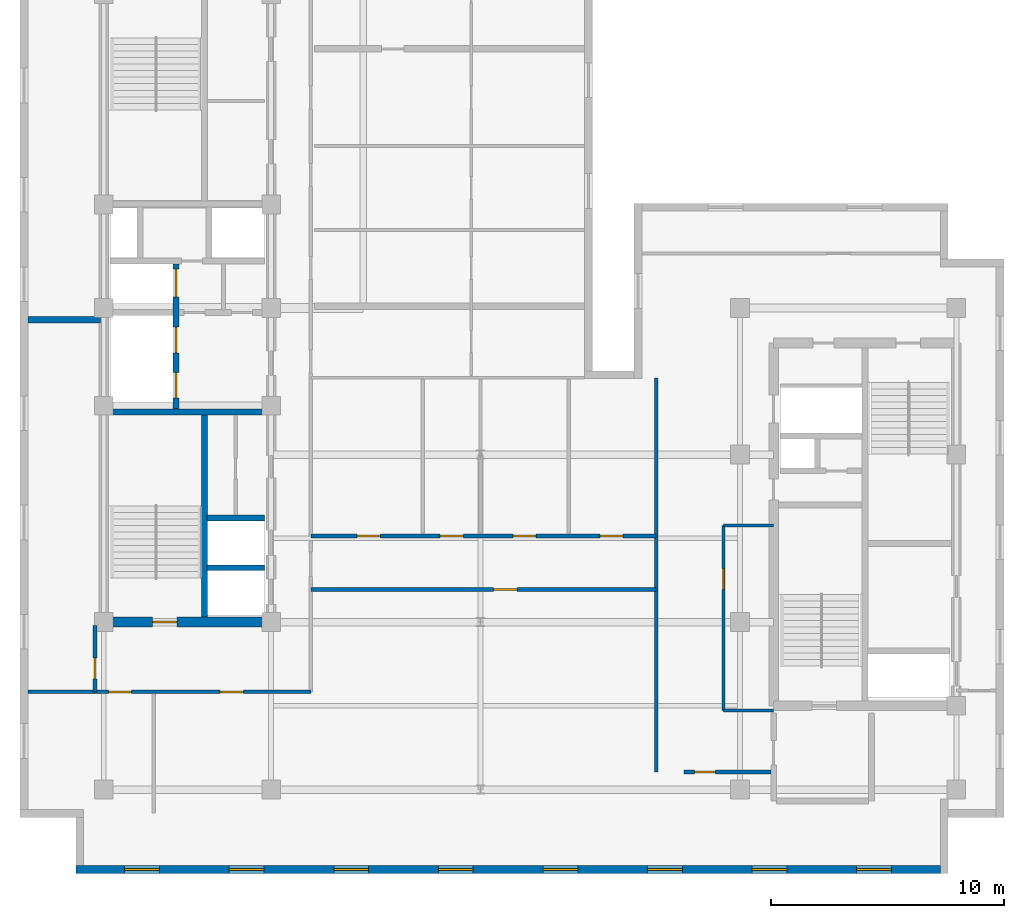
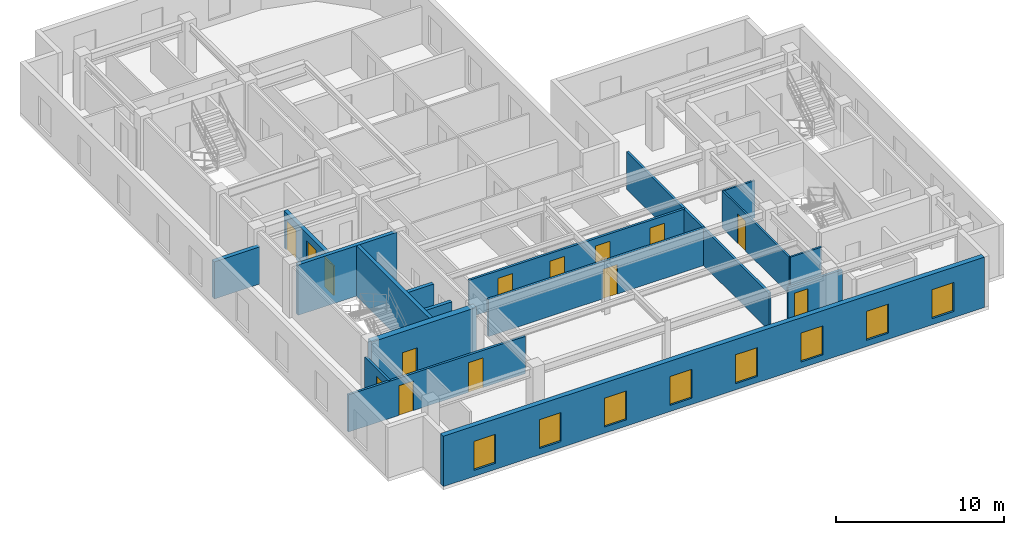
# One storey, part 3 of 10: 17 walls, 14 doors, 8 windows, 22 openings.
"""IFC4 building model written with IfcOpenShell, lengths in metres."""

import ifcopenshell
import ifcopenshell.guid

model = None  # the IFC model being written
_history = None  # IfcOwnerHistory: only IFC2X3 demands one
_inside = {}  # id of a spatial element -> (the spatial element, [elements in it])
_under = {}  # id of a project, library or spatial element -> (it, [spatial elements below it])
_declared = {}  # id of a project -> (the project, [libraries it declares])
_typed = {}  # id of a type object -> (the type object, [elements of that type])
_made_of = {}  # id of a material, layer set ... -> (it, [elements and type objects made of it])


def new_model(schema):
    """Start an empty IFC model of exactly this schema.

    Asked for "IFC4X3", IfcOpenShell would pick the latest addendum, in which some entities
    have other attributes; the version numbers below select the first issue.
    IFC2X3 requires an IfcOwnerHistory on every rooted entity: one is made here for all.
    """
    global model, _history
    if schema == "IFC4X3":
        model = ifcopenshell.file(schema_version=(4, 3, 0, 0))
    else:
        model = ifcopenshell.file(schema=schema)
    _inside.clear()
    _under.clear()
    _declared.clear()
    _typed.clear()
    _made_of.clear()
    _history = None
    if model.schema == "IFC2X3":
        org = make("IfcOrganization", Name="unknown")
        user = make(
            "IfcPersonAndOrganization",
            ThePerson=make("IfcPerson", FamilyName="unknown"),
            TheOrganization=org,
        )
        app = make(
            "IfcApplication",
            ApplicationDeveloper=org,
            Version="unknown",
            ApplicationFullName="unknown",
            ApplicationIdentifier="unknown",
        )
        _history = make(
            "IfcOwnerHistory",
            OwningUser=user,
            OwningApplication=app,
            ChangeAction="ADDED",
            CreationDate=0,
        )
    return model


def make(cls, **values):
    """One entity of the class cls with the attributes given. An attribute that is None is left unset."""
    return model.create_entity(
        cls, **{name: value for name, value in values.items() if value is not None}
    )


def entity(cls, *values):
    """Any entity or typed value of the class cls, its attributes in the order of the schema. None: left unset."""
    e = model.create_entity(cls)
    for i, value in enumerate(values):
        if value is not None:
            e[i] = value
    return e


def rooted(cls, **values):
    """An entity with a GlobalId (a new one), such as an element, a storey or a relation."""
    return make(cls, GlobalId=ifcopenshell.guid.new(), OwnerHistory=_history, **values)


def si_unit(unit_type, name, prefix=None):
    """IfcSIUnit, for example si_unit("LENGTHUNIT", "METRE", prefix="MILLI")."""
    return make("IfcSIUnit", UnitType=unit_type, Prefix=prefix, Name=name)


def converted_unit(unit_type, name, factor, base, dimensions=None, offset=None):
    """IfcConversionBasedUnit, such as the inch: factor (a typed value) times the base unit."""
    return make(
        "IfcConversionBasedUnit"
        if offset is None
        else "IfcConversionBasedUnitWithOffset",
        ConversionOffset=offset,
        Dimensions=None
        if dimensions is None
        else entity("IfcDimensionalExponents", *dimensions),
        UnitType=unit_type,
        Name=name,
        ConversionFactor=make(
            "IfcMeasureWithUnit", ValueComponent=factor, UnitComponent=base
        ),
    )


def assignment(units):
    """IfcUnitAssignment: the units of a project."""
    return None if units is None else make("IfcUnitAssignment", Units=units)


def point(xyz):
    """IfcCartesianPoint."""
    return None if xyz is None else make("IfcCartesianPoint", Coordinates=xyz)


def direction(xyz):
    """IfcDirection."""
    return None if xyz is None else make("IfcDirection", DirectionRatios=xyz)


def frame(location, z_axis=None, x_axis=None):
    """IfcAxis2Placement3D, a coordinate frame: its origin and axes. An axis left out is left unset."""
    return make(
        "IfcAxis2Placement3D",
        Location=point(location),
        Axis=direction(z_axis),
        RefDirection=direction(x_axis),
    )


def frame_2d(location, x_axis=None):
    """IfcAxis2Placement2D, a coordinate frame in the plane: its origin and x axis."""
    return make(
        "IfcAxis2Placement2D", Location=point(location), RefDirection=direction(x_axis)
    )


def origin_with_axes():
    """The frame at (0, 0, 0) with the z axis (0, 0, 1) and the x axis (1, 0, 0) written out."""
    return frame((0.0, 0.0, 0.0), z_axis=(0.0, 0.0, 1.0), x_axis=(1.0, 0.0, 0.0))


def origin_2d_with_axis():
    """The frame at (0, 0) in the plane with the x axis (1, 0) written out."""
    return frame_2d((0.0, 0.0), x_axis=(1.0, 0.0))


def place(relative_to, where):
    """IfcLocalPlacement: puts the frame where relative to a parent placement (None: the world)."""
    return make(
        "IfcLocalPlacement", PlacementRelTo=relative_to, RelativePlacement=where
    )


def context(
    kind, dimensions, precision=None, world=None, true_north=None, identifier=None
):
    """IfcGeometricRepresentationContext, for example the 3D "Model" context."""
    return make(
        "IfcGeometricRepresentationContext",
        ContextIdentifier=identifier,
        ContextType=kind,
        CoordinateSpaceDimension=dimensions,
        Precision=precision,
        WorldCoordinateSystem=world,
        TrueNorth=true_north,
    )


def subcontext(parent, identifier, kind, view, scale=None):
    """IfcGeometricRepresentationSubContext, for example "Body" below "Model"."""
    return make(
        "IfcGeometricRepresentationSubContext",
        ContextIdentifier=identifier,
        ContextType=kind,
        ParentContext=parent,
        TargetScale=scale,
        TargetView=view,
    )


def project(units=None, contexts=None):
    """IfcProject with its units and contexts."""
    return rooted(
        "IfcProject",
        Name="project",
        RepresentationContexts=contexts,
        UnitsInContext=assignment(units),
    )


def spatial(cls, under=None, at=None, **own):
    """A site, building, storey or space (cls), placed at a placement, below another one or the project."""
    s = rooted(cls, ObjectPlacement=at, **own)
    if under is not None:
        _under.setdefault(under.id(), (under, []))[1].append(s)
    return s


def polyline(points):
    """IfcPolyline through the points."""
    return make("IfcPolyline", Points=[point(p) for p in points])


def profile(cls, at=None, kind="AREA", **sizes):
    """A parametric profile (cls). Its sizes go by their IFC names, for example OverallWidth=200.0."""
    return make(cls, ProfileType=kind, Position=at, **sizes)


def rectangle(**sizes):
    """IfcRectangleProfileDef."""
    return profile("IfcRectangleProfileDef", **sizes)


def outline(outer, holes=None, kind="AREA"):
    """IfcArbitraryClosedProfileDef: a profile drawn as a closed curve; with holes, ...WithVoids."""
    if holes is None:
        return make("IfcArbitraryClosedProfileDef", ProfileType=kind, OuterCurve=outer)
    return make(
        "IfcArbitraryProfileDefWithVoids",
        ProfileType=kind,
        OuterCurve=outer,
        InnerCurves=holes,
    )


def extrude(swept, where, along, depth):
    """IfcExtrudedAreaSolid: the profile swept, set in the frame where, extruded along a direction by depth."""
    return make(
        "IfcExtrudedAreaSolid",
        SweptArea=swept,
        Position=where,
        ExtrudedDirection=direction(along),
        Depth=depth,
    )


def shape(context_of_items, identifier, shape_type, items):
    """IfcShapeRepresentation: the items that make up one representation, for example the "Body"."""
    return make(
        "IfcShapeRepresentation",
        ContextOfItems=context_of_items,
        RepresentationIdentifier=identifier,
        RepresentationType=shape_type,
        Items=items,
    )


def material(Name=None, Category=None):
    """IfcMaterial."""
    return make("IfcMaterial", Name=Name, Category=Category)


def layer(
    of_material, thickness, ventilated=None, Name=None, Category=None, Priority=None
):
    """IfcMaterialLayer: one layer of a wall or slab, of a material (None: an air gap)."""
    return make(
        "IfcMaterialLayer",
        Material=of_material,
        LayerThickness=thickness,
        IsVentilated=ventilated,
        Name=Name,
        Category=Category,
        Priority=Priority,
    )


def layer_set(layers, Name=None):
    """IfcMaterialLayerSet."""
    return make("IfcMaterialLayerSet", MaterialLayers=layers, LayerSetName=Name)


def made_of(thing, what):
    """Note that an element or type object is made of a material, layer set ...; save() writes the relation."""
    if what is not None:
        _made_of.setdefault(what.id(), (what, []))[1].append(thing)
    return thing


def type_object(cls, material=None, **own):
    """A type object (cls), such as IfcWallType, which elements share."""
    return made_of(rooted(cls, **own), material)


def element(
    cls,
    number,
    at=None,
    inside=None,
    cuts=None,
    type_object=None,
    material=None,
    context=None,
    identifier="Body",
    shape_type=None,
    held_by="IfcProductDefinitionShape",
    body=None,
    shapes=None,
    **own,
):
    """One element of the class cls, such as IfcWall. Its Tag is "e" and its number.

    at: its placement. inside: the storey or other place that contains it. cuts: it is an
    opening in that element (IfcRelVoidsElement). A single representation is given by context,
    identifier, shape_type and body (its items); several are given by shapes. held_by: the class
    of the entity that holds the representations. save() writes the other relations.
    """
    e = rooted(cls, Tag="e%d" % number, ObjectPlacement=at, **own)
    if body is not None:
        shapes = [shape(context, identifier, shape_type, body)]
    if shapes is not None:
        e.Representation = make(held_by, Representations=shapes)
    if inside is not None:
        _inside.setdefault(inside.id(), (inside, []))[1].append(e)
    if cuts is not None:
        rooted(
            "IfcRelVoidsElement", RelatingBuildingElement=cuts, RelatedOpeningElement=e
        )
    if type_object is not None:
        _typed.setdefault(type_object.id(), (type_object, []))[1].append(e)
    return made_of(e, material)


def fill(opening, filler):
    """IfcRelFillsElement: the door or window that sits in an opening."""
    return rooted(
        "IfcRelFillsElement",
        RelatingOpeningElement=opening,
        RelatedBuildingElement=filler,
    )


def aggregate(whole, parts):
    """IfcRelAggregates: a whole, such as a stair, and the parts it consists of."""
    return rooted("IfcRelAggregates", RelatingObject=whole, RelatedObjects=parts)


def save(model, path):
    """Write the relations noted so far, then the file.

    IfcRelAggregates (storeys below a building ...), IfcRelContainedInSpatialStructure (elements
    in a storey), IfcRelDefinesByType, IfcRelAssociatesMaterial and IfcRelDeclares: one each for
    every whole, place, type object, material and project.
    """
    for whole, parts in _under.values():
        aggregate(whole, parts)
    for where, things in _inside.values():
        rooted(
            "IfcRelContainedInSpatialStructure",
            RelatedElements=things,
            RelatingStructure=where,
        )
    for kind, things in _typed.values():
        rooted("IfcRelDefinesByType", RelatedObjects=things, RelatingType=kind)
    for what, things in _made_of.values():
        rooted("IfcRelAssociatesMaterial", RelatedObjects=things, RelatingMaterial=what)
    for by, libraries in _declared.values():
        rooted("IfcRelDeclares", RelatingContext=by, RelatedDefinitions=libraries)
    model.write(path)


model = new_model("IFC4")

# Units and contexts
model_context = context("Model", 3, precision=1e-05, world=origin_with_axes(), true_north=direction((0.0, 1.0)))
body_context = subcontext(model_context, "Body", "Model", "MODEL_VIEW")
ifc_project = project(units=[si_unit("LENGTHUNIT", "METRE"), si_unit("AREAUNIT", "SQUARE_METRE"), si_unit("VOLUMEUNIT", "CUBIC_METRE"), converted_unit("PLANEANGLEUNIT", "DEGREE", entity("IfcPlaneAngleMeasure", 0.017453292519943295), si_unit("PLANEANGLEUNIT", "RADIAN"), dimensions=[0, 0, 0, 0, 0, 0, 0]), si_unit("MASSUNIT", "GRAM", prefix="KILO"), si_unit("THERMODYNAMICTEMPERATUREUNIT", "KELVIN")], contexts=[model_context])

# Site, building, storey
site_placement = place(None, origin_with_axes())
site = spatial("IfcSite", under=ifc_project, at=site_placement, CompositionType="ELEMENT")
building_placement = place(site_placement, origin_with_axes())
building = spatial("IfcBuilding", under=site, at=building_placement, Name="Varnlund Millrace Tower", CompositionType="ELEMENT")
storey_placement = place(building_placement, frame((0.0, 0.0, 268.5), z_axis=(0.0, 0.0, 1.0), x_axis=(1.0, 0.0, 0.0)))
storey = spatial("IfcBuildingStorey", under=building, at=storey_placement, Name="L66", CompositionType="ELEMENT", Elevation=268.5)

# Wall, opening, door
ifc_material_1 = material(Name="Concrete C60/75", Category="concrete")
ifc_layer_1 = layer(ifc_material_1, 0.42, Name="Concrete C60/75")
ifc_layer_set_1 = layer_set([ifc_layer_1], Name="Concrete C60/75")
wall_type_1 = type_object("IfcWallType", Name="Type-CoreWall-Shear-420-C60", PredefinedType="SHEAR", material=ifc_layer_set_1)
wall_1_placement = place(storey_placement, frame((11.4, 10.8, 0.0), z_axis=(0.0, 0.0, 1.0), x_axis=(1.0, 0.0, 0.0)))
wall_1 = element("IfcWall", 1, at=wall_1_placement, inside=storey, type_object=wall_type_1, Name="Type-CoreWall-Shear-420-C60", PredefinedType="SHEAR", context=body_context, shape_type="SweptSolid", body=[
    extrude(outline(polyline([(0.0, -0.21), (7.2, -0.21), (7.2, 0.21), (0.0, 0.21), (0.0, -0.21)])), origin_with_axes(), (0.0, 0.0, 1.0), 3.66),
])
opening_1_placement = place(wall_1_placement, frame((2.625, 0.0, 0.0), z_axis=(0.0, 0.0, 1.0), x_axis=(1.0, 0.0, 0.0)))
opening_1 = element("IfcOpeningElement", 2, at=opening_1_placement, cuts=wall_1, Name="Opening L66:DR-STA1", PredefinedType="OPENING", context=body_context, shape_type="SweptSolid", body=[
    extrude(rectangle(XDim=1.05, YDim=0.44, at=origin_2d_with_axis()), origin_with_axes(), (0.0, 0.0, 1.0), 2.15),
])
ifc_material_2 = material(Name="Fire-rated hollow steel door", Category="steel")
door_type_1 = type_object("IfcDoorType", Name="Type-FireDoor-Stair-1050X2150", OperationType="NOTDEFINED", PredefinedType="DOOR", material=ifc_material_2)
door_1_placement = place(wall_1_placement, frame((2.625, 0.0, 0.0), z_axis=(0.0, 0.0, 1.0), x_axis=(1.0, 0.0, 0.0)))
door_1 = element("IfcDoor", 3, at=door_1_placement, inside=storey, type_object=door_type_1, Name="Type-FireDoor-Stair-1050X2150", OperationType="SINGLE_SWING_LEFT", OverallHeight=2.15, OverallWidth=1.05, PredefinedType="DOOR", context=body_context, shape_type="SweptSolid", body=[
    extrude(rectangle(XDim=1.05, YDim=0.09, at=origin_2d_with_axis()), origin_with_axes(), (0.0, 0.0, 1.0), 2.15),
])
fill(opening_1, door_1)

# Wall, openings, windows
ifc_material_3 = material(Name="Precast concrete C50/60", Category="concrete")
ifc_layer_2 = layer(ifc_material_3, 0.34, Name="Precast concrete C50/60")
ifc_layer_set_2 = layer_set([ifc_layer_2], Name="Precast concrete C50/60")
wall_type_2 = type_object("IfcWallType", Name="Type-ExtWall-Precast-Upper-340", PredefinedType="SOLIDWALL", material=ifc_layer_set_2)
wall_2_placement = place(storey_placement, frame((47.36, 0.17, 0.0), z_axis=(0.0, 0.0, 1.0), x_axis=(-1.0, 0.0, 0.0)))
wall_2 = element("IfcWall", 4, at=wall_2_placement, inside=storey, type_object=wall_type_2, Name="Type-ExtWall-Precast-Upper-340", PredefinedType="SOLIDWALL", context=body_context, shape_type="SweptSolid", body=[
    extrude(outline(polyline([(0.0, -0.17), (37.16, -0.17), (37.16, 0.17), (0.0, 0.17), (0.0, -0.17)])), origin_with_axes(), (0.0, 0.0, 1.0), 3.66),
])
opening_2_placement = place(wall_2_placement, frame((2.847, 0.0, 0.45), z_axis=(0.0, 0.0, 1.0), x_axis=(1.0, 0.0, 0.0)))
opening_2 = element("IfcOpeningElement", 5, at=opening_2_placement, cuts=wall_2, Name="Opening L66:WN-09", PredefinedType="OPENING", context=body_context, shape_type="SweptSolid", body=[
    extrude(rectangle(XDim=1.5, YDim=0.36, at=origin_2d_with_axis()), origin_with_axes(), (0.0, 0.0, 1.0), 2.1),
])
opening_3_placement = place(wall_2_placement, frame((7.342, 0.0, 0.45), z_axis=(0.0, 0.0, 1.0), x_axis=(1.0, 0.0, 0.0)))
opening_3 = element("IfcOpeningElement", 6, at=opening_3_placement, cuts=wall_2, Name="Opening L66:WN-10", PredefinedType="OPENING", context=body_context, shape_type="SweptSolid", body=[
    extrude(rectangle(XDim=1.5, YDim=0.36, at=origin_2d_with_axis()), origin_with_axes(), (0.0, 0.0, 1.0), 2.1),
])
opening_4_placement = place(wall_2_placement, frame((11.837, 0.0, 0.45), z_axis=(0.0, 0.0, 1.0), x_axis=(1.0, 0.0, 0.0)))
opening_4 = element("IfcOpeningElement", 7, at=opening_4_placement, cuts=wall_2, Name="Opening L66:WN-11", PredefinedType="OPENING", context=body_context, shape_type="SweptSolid", body=[
    extrude(rectangle(XDim=1.5, YDim=0.36, at=origin_2d_with_axis()), origin_with_axes(), (0.0, 0.0, 1.0), 2.1),
])
opening_5_placement = place(wall_2_placement, frame((16.332, 0.0, 0.45), z_axis=(0.0, 0.0, 1.0), x_axis=(1.0, 0.0, 0.0)))
opening_5 = element("IfcOpeningElement", 8, at=opening_5_placement, cuts=wall_2, Name="Opening L66:WN-12", PredefinedType="OPENING", context=body_context, shape_type="SweptSolid", body=[
    extrude(rectangle(XDim=1.5, YDim=0.36, at=origin_2d_with_axis()), origin_with_axes(), (0.0, 0.0, 1.0), 2.1),
])
opening_6_placement = place(wall_2_placement, frame((20.827, 0.0, 0.45), z_axis=(0.0, 0.0, 1.0), x_axis=(1.0, 0.0, 0.0)))
opening_6 = element("IfcOpeningElement", 9, at=opening_6_placement, cuts=wall_2, Name="Opening L66:WN-13", PredefinedType="OPENING", context=body_context, shape_type="SweptSolid", body=[
    extrude(rectangle(XDim=1.5, YDim=0.36, at=origin_2d_with_axis()), origin_with_axes(), (0.0, 0.0, 1.0), 2.1),
])
opening_7_placement = place(wall_2_placement, frame((25.322, 0.0, 0.45), z_axis=(0.0, 0.0, 1.0), x_axis=(1.0, 0.0, 0.0)))
opening_7 = element("IfcOpeningElement", 10, at=opening_7_placement, cuts=wall_2, Name="Opening L66:WN-14", PredefinedType="OPENING", context=body_context, shape_type="SweptSolid", body=[
    extrude(rectangle(XDim=1.5, YDim=0.36, at=origin_2d_with_axis()), origin_with_axes(), (0.0, 0.0, 1.0), 2.1),
])
opening_8_placement = place(wall_2_placement, frame((29.817, 0.0, 0.45), z_axis=(0.0, 0.0, 1.0), x_axis=(1.0, 0.0, 0.0)))
opening_8 = element("IfcOpeningElement", 11, at=opening_8_placement, cuts=wall_2, Name="Opening L66:WN-15", PredefinedType="OPENING", context=body_context, shape_type="SweptSolid", body=[
    extrude(rectangle(XDim=1.5, YDim=0.36, at=origin_2d_with_axis()), origin_with_axes(), (0.0, 0.0, 1.0), 2.1),
])
opening_9_placement = place(wall_2_placement, frame((34.312, 0.0, 0.45), z_axis=(0.0, 0.0, 1.0), x_axis=(1.0, 0.0, 0.0)))
opening_9 = element("IfcOpeningElement", 12, at=opening_9_placement, cuts=wall_2, Name="Opening L66:WN-16", PredefinedType="OPENING", context=body_context, shape_type="SweptSolid", body=[
    extrude(rectangle(XDim=1.5, YDim=0.36, at=origin_2d_with_axis()), origin_with_axes(), (0.0, 0.0, 1.0), 2.1),
])
ifc_material_4 = material(Name="Argon low-e triple glazing in thermally broken bronze frame", Category="glass")
window_type = type_object("IfcWindowType", Name="Type-Window-Punched-1500X2100", PartitioningType="SINGLE_PANEL", PredefinedType="WINDOW", material=ifc_material_4)
window_1_placement = place(wall_2_placement, frame((2.847, 0.0, 0.45), z_axis=(0.0, 0.0, 1.0), x_axis=(1.0, 0.0, 0.0)))
window_1 = element("IfcWindow", 13, at=window_1_placement, inside=storey, type_object=window_type, Name="Type-Window-Punched-1500X2100", OverallHeight=2.1, OverallWidth=1.5, PredefinedType="WINDOW", context=body_context, shape_type="SweptSolid", body=[
    extrude(rectangle(XDim=1.5, YDim=0.09, at=origin_2d_with_axis()), origin_with_axes(), (0.0, 0.0, 1.0), 2.1),
])
fill(opening_2, window_1)
window_2_placement = place(wall_2_placement, frame((7.342, 0.0, 0.45), z_axis=(0.0, 0.0, 1.0), x_axis=(1.0, 0.0, 0.0)))
window_2 = element("IfcWindow", 14, at=window_2_placement, inside=storey, type_object=window_type, Name="Type-Window-Punched-1500X2100", OverallHeight=2.1, OverallWidth=1.5, PredefinedType="WINDOW", context=body_context, shape_type="SweptSolid", body=[
    extrude(rectangle(XDim=1.5, YDim=0.09, at=origin_2d_with_axis()), origin_with_axes(), (0.0, 0.0, 1.0), 2.1),
])
fill(opening_3, window_2)
window_3_placement = place(wall_2_placement, frame((11.837, 0.0, 0.45), z_axis=(0.0, 0.0, 1.0), x_axis=(1.0, 0.0, 0.0)))
window_3 = element("IfcWindow", 15, at=window_3_placement, inside=storey, type_object=window_type, Name="Type-Window-Punched-1500X2100", OverallHeight=2.1, OverallWidth=1.5, PredefinedType="WINDOW", context=body_context, shape_type="SweptSolid", body=[
    extrude(rectangle(XDim=1.5, YDim=0.09, at=origin_2d_with_axis()), origin_with_axes(), (0.0, 0.0, 1.0), 2.1),
])
fill(opening_4, window_3)
window_4_placement = place(wall_2_placement, frame((16.332, 0.0, 0.45), z_axis=(0.0, 0.0, 1.0), x_axis=(1.0, 0.0, 0.0)))
window_4 = element("IfcWindow", 16, at=window_4_placement, inside=storey, type_object=window_type, Name="Type-Window-Punched-1500X2100", OverallHeight=2.1, OverallWidth=1.5, PredefinedType="WINDOW", context=body_context, shape_type="SweptSolid", body=[
    extrude(rectangle(XDim=1.5, YDim=0.09, at=origin_2d_with_axis()), origin_with_axes(), (0.0, 0.0, 1.0), 2.1),
])
fill(opening_5, window_4)
window_5_placement = place(wall_2_placement, frame((20.827, 0.0, 0.45), z_axis=(0.0, 0.0, 1.0), x_axis=(1.0, 0.0, 0.0)))
window_5 = element("IfcWindow", 17, at=window_5_placement, inside=storey, type_object=window_type, Name="Type-Window-Punched-1500X2100", OverallHeight=2.1, OverallWidth=1.5, PredefinedType="WINDOW", context=body_context, shape_type="SweptSolid", body=[
    extrude(rectangle(XDim=1.5, YDim=0.09, at=origin_2d_with_axis()), origin_with_axes(), (0.0, 0.0, 1.0), 2.1),
])
fill(opening_6, window_5)
window_6_placement = place(wall_2_placement, frame((25.322, 0.0, 0.45), z_axis=(0.0, 0.0, 1.0), x_axis=(1.0, 0.0, 0.0)))
window_6 = element("IfcWindow", 18, at=window_6_placement, inside=storey, type_object=window_type, Name="Type-Window-Punched-1500X2100", OverallHeight=2.1, OverallWidth=1.5, PredefinedType="WINDOW", context=body_context, shape_type="SweptSolid", body=[
    extrude(rectangle(XDim=1.5, YDim=0.09, at=origin_2d_with_axis()), origin_with_axes(), (0.0, 0.0, 1.0), 2.1),
])
fill(opening_7, window_6)
window_7_placement = place(wall_2_placement, frame((29.817, 0.0, 0.45), z_axis=(0.0, 0.0, 1.0), x_axis=(1.0, 0.0, 0.0)))
window_7 = element("IfcWindow", 19, at=window_7_placement, inside=storey, type_object=window_type, Name="Type-Window-Punched-1500X2100", OverallHeight=2.1, OverallWidth=1.5, PredefinedType="WINDOW", context=body_context, shape_type="SweptSolid", body=[
    extrude(rectangle(XDim=1.5, YDim=0.09, at=origin_2d_with_axis()), origin_with_axes(), (0.0, 0.0, 1.0), 2.1),
])
fill(opening_8, window_7)
window_8_placement = place(wall_2_placement, frame((34.312, 0.0, 0.45), z_axis=(0.0, 0.0, 1.0), x_axis=(1.0, 0.0, 0.0)))
window_8 = element("IfcWindow", 20, at=window_8_placement, inside=storey, type_object=window_type, Name="Type-Window-Punched-1500X2100", OverallHeight=2.1, OverallWidth=1.5, PredefinedType="WINDOW", context=body_context, shape_type="SweptSolid", body=[
    extrude(rectangle(XDim=1.5, YDim=0.09, at=origin_2d_with_axis()), origin_with_axes(), (0.0, 0.0, 1.0), 2.1),
])
fill(opening_9, window_8)

# Wall
ifc_material_5 = material(Name="Double-stud STC-60 conference acoustic partition", Category="gypsum")
ifc_layer_3 = layer(ifc_material_5, 0.28, Name="Double-stud STC-60 conference acoustic partition")
ifc_layer_set_3 = layer_set([ifc_layer_3], Name="Double-stud STC-60 conference acoustic partition")
wall_type_3 = type_object("IfcWallType", Name="Type-Partition-Acoustic-280", PredefinedType="PARTITIONING", material=ifc_layer_set_3)
wall_3_placement = place(storey_placement, frame((8.135, 23.8, 0.0), z_axis=(0.0, 0.0, 1.0), x_axis=(1.0, 0.0, 0.0)))
element("IfcWall", 21, at=wall_3_placement, inside=storey, type_object=wall_type_3, Name="Type-Partition-Acoustic-280", PredefinedType="PARTITIONING", context=body_context, shape_type="SweptSolid", body=[
    extrude(outline(polyline([(0.0, -0.14), (3.135, -0.14), (3.135, 0.14), (0.0, 0.14), (0.0, -0.14)])), origin_with_axes(), (0.0, 0.0, 1.0), 2.7),
])

# Wall, openings, doors
ifc_material_6 = material(Name="Fire-rated gypsum board on cold-formed steel framing", Category="steel")
ifc_layer_4 = layer(ifc_material_6, 0.16, Name="Fire-rated gypsum board on cold-formed steel framing")
ifc_layer_set_4 = layer_set([ifc_layer_4], Name="Fire-rated gypsum board on cold-formed steel framing")
wall_type_4 = type_object("IfcWallType", Name="Type-Partition-Corridor-160", PredefinedType="PARTITIONING", material=ifc_layer_set_4)
wall_4_placement = place(storey_placement, frame((8.135, 7.8, 0.0), z_axis=(0.0, 0.0, 1.0), x_axis=(1.0, 0.0, 0.0)))
wall_4 = element("IfcWall", 22, at=wall_4_placement, inside=storey, type_object=wall_type_4, Name="Type-Partition-Corridor-160", PredefinedType="PARTITIONING", context=body_context, shape_type="SweptSolid", body=[
    extrude(outline(polyline([(0.0, -0.08), (12.165, -0.08), (12.165, 0.08), (0.0, 0.08), (0.0, -0.08)])), origin_with_axes(), (0.0, 0.0, 1.0), 2.7),
])
opening_10_placement = place(wall_4_placement, frame((3.967, 0.0, 0.0), z_axis=(0.0, 0.0, 1.0), x_axis=(1.0, 0.0, 0.0)))
opening_10 = element("IfcOpeningElement", 23, at=opening_10_placement, cuts=wall_4, Name="Opening L66:DR-WAS-01", PredefinedType="OPENING", context=body_context, shape_type="SweptSolid", body=[
    extrude(rectangle(XDim=1.0, YDim=0.18, at=origin_2d_with_axis()), origin_with_axes(), (0.0, 0.0, 1.0), 2.15),
])
opening_11_placement = place(wall_4_placement, frame((8.7675, 0.0, 0.0), z_axis=(0.0, 0.0, 1.0), x_axis=(1.0, 0.0, 0.0)))
opening_11 = element("IfcOpeningElement", 24, at=opening_11_placement, cuts=wall_4, Name="Opening L66:DR-WAS-02", PredefinedType="OPENING", context=body_context, shape_type="SweptSolid", body=[
    extrude(rectangle(XDim=1.0, YDim=0.18, at=origin_2d_with_axis()), origin_with_axes(), (0.0, 0.0, 1.0), 2.15),
])
ifc_material_7 = material(Name="Solid-core white oak and bronze frame door")
door_type_2 = type_object("IfcDoorType", Name="Type-IntDoor-Office-1000X2150", OperationType="NOTDEFINED", PredefinedType="DOOR", material=ifc_material_7)
door_2_placement = place(wall_4_placement, frame((3.967, 0.0, 0.0), z_axis=(0.0, 0.0, 1.0), x_axis=(1.0, 0.0, 0.0)))
door_2 = element("IfcDoor", 25, at=door_2_placement, inside=storey, type_object=door_type_2, Name="Type-IntDoor-Office-1000X2150", OperationType="SINGLE_SWING_LEFT", OverallHeight=2.15, OverallWidth=1.0, PredefinedType="DOOR", context=body_context, shape_type="SweptSolid", body=[
    extrude(rectangle(XDim=1.0, YDim=0.09, at=origin_2d_with_axis()), origin_with_axes(), (0.0, 0.0, 1.0), 2.15),
])
fill(opening_10, door_2)
door_3_placement = place(wall_4_placement, frame((8.7675, 0.0, 0.0), z_axis=(0.0, 0.0, 1.0), x_axis=(1.0, 0.0, 0.0)))
door_3 = element("IfcDoor", 26, at=door_3_placement, inside=storey, type_object=door_type_2, Name="Type-IntDoor-Office-1000X2150", OperationType="SINGLE_SWING_RIGHT", OverallHeight=2.15, OverallWidth=1.0, PredefinedType="DOOR", context=body_context, shape_type="SweptSolid", body=[
    extrude(rectangle(XDim=1.0, YDim=0.09, at=origin_2d_with_axis()), origin_with_axes(), (0.0, 0.0, 1.0), 2.15),
])
fill(opening_11, door_3)

# Wall, opening, door
wall_5_placement = place(storey_placement, frame((11.02, 7.8, 0.0), z_axis=(0.0, 0.0, 1.0), x_axis=(0.0, 1.0, 0.0)))
wall_5 = element("IfcWall", 27, at=wall_5_placement, inside=storey, type_object=wall_type_4, Name="Type-Partition-Corridor-160", PredefinedType="PARTITIONING", context=body_context, shape_type="SweptSolid", body=[
    extrude(outline(polyline([(0.0, -0.08), (2.85, -0.08), (2.85, 0.08), (0.0, 0.08), (0.0, -0.08)])), origin_with_axes(), (0.0, 0.0, 1.0), 2.7),
])
opening_12_placement = place(wall_5_placement, frame((1.0, 0.0, 0.0), z_axis=(0.0, 0.0, 1.0), x_axis=(1.0, 0.0, 0.0)))
opening_12 = element("IfcOpeningElement", 28, at=opening_12_placement, cuts=wall_5, Name="Opening L66:DR-WU-S1", PredefinedType="OPENING", context=body_context, shape_type="SweptSolid", body=[
    extrude(rectangle(XDim=0.9, YDim=0.18, at=origin_2d_with_axis()), origin_with_axes(), (0.0, 0.0, 1.0), 2.15),
])
ifc_material_8 = material(Name="Painted steel riser and closet door", Category="steel")
door_type_3 = type_object("IfcDoorType", Name="Type-IntDoor-Closet-900X2150", OperationType="NOTDEFINED", PredefinedType="DOOR", material=ifc_material_8)
door_4_placement = place(wall_5_placement, frame((1.0, 0.0, 0.0), z_axis=(0.0, 0.0, 1.0), x_axis=(1.0, 0.0, 0.0)))
door_4 = element("IfcDoor", 29, at=door_4_placement, inside=storey, type_object=door_type_3, Name="Type-IntDoor-Closet-900X2150", OperationType="SINGLE_SWING_LEFT", OverallHeight=2.15, OverallWidth=0.9, PredefinedType="DOOR", context=body_context, shape_type="SweptSolid", body=[
    extrude(rectangle(XDim=0.9, YDim=0.09, at=origin_2d_with_axis()), origin_with_axes(), (0.0, 0.0, 1.0), 2.15),
])
fill(opening_12, door_4)

wall_6_placement = place(storey_placement, frame((20.3, 12.2, 0.0), z_axis=(0.0, 0.0, 1.0), x_axis=(1.0, 0.0, 0.0)))
wall_6 = element("IfcWall", 30, at=wall_6_placement, inside=storey, type_object=wall_type_4, Name="Type-Partition-Corridor-160", PredefinedType="PARTITIONING", context=body_context, shape_type="SweptSolid", body=[
    extrude(outline(polyline([(0.0, -0.08), (14.85, -0.08), (14.85, 0.08), (0.0, 0.08), (0.0, -0.08)])), origin_with_axes(), (0.0, 0.0, 1.0), 2.7),
])
opening_13_placement = place(wall_6_placement, frame((8.355, 0.0, 0.0), z_axis=(0.0, 0.0, 1.0), x_axis=(1.0, 0.0, 0.0)))
opening_13 = element("IfcOpeningElement", 31, at=opening_13_placement, cuts=wall_6, Name="Opening L66:DR-KNS-01", PredefinedType="OPENING", context=body_context, shape_type="SweptSolid", body=[
    extrude(rectangle(XDim=1.0, YDim=0.18, at=origin_2d_with_axis()), origin_with_axes(), (0.0, 0.0, 1.0), 2.15),
])
door_5_placement = place(wall_6_placement, frame((8.355, 0.0, 0.0), z_axis=(0.0, 0.0, 1.0), x_axis=(1.0, 0.0, 0.0)))
door_5 = element("IfcDoor", 32, at=door_5_placement, inside=storey, type_object=door_type_2, Name="Type-IntDoor-Office-1000X2150", OperationType="SINGLE_SWING_LEFT", OverallHeight=2.15, OverallWidth=1.0, PredefinedType="DOOR", context=body_context, shape_type="SweptSolid", body=[
    extrude(rectangle(XDim=1.0, YDim=0.09, at=origin_2d_with_axis()), origin_with_axes(), (0.0, 0.0, 1.0), 2.15),
])
fill(opening_13, door_5)

# Wall, openings, doors
wall_7_placement = place(storey_placement, frame((20.3, 14.5, 0.0), z_axis=(0.0, 0.0, 1.0), x_axis=(1.0, 0.0, 0.0)))
wall_7 = element("IfcWall", 33, at=wall_7_placement, inside=storey, type_object=wall_type_4, Name="Type-Partition-Corridor-160", PredefinedType="PARTITIONING", context=body_context, shape_type="SweptSolid", body=[
    extrude(outline(polyline([(0.0, -0.08), (14.85, -0.08), (14.85, 0.08), (0.0, 0.08), (0.0, -0.08)])), origin_with_axes(), (0.0, 0.0, 1.0), 2.7),
])
opening_14_placement = place(wall_7_placement, frame((2.4955, 0.0, 0.0), z_axis=(0.0, 0.0, 1.0), x_axis=(1.0, 0.0, 0.0)))
opening_14 = element("IfcOpeningElement", 34, at=opening_14_placement, cuts=wall_7, Name="Opening L66:DR-KN-01", PredefinedType="OPENING", context=body_context, shape_type="SweptSolid", body=[
    extrude(rectangle(XDim=1.0, YDim=0.18, at=origin_2d_with_axis()), origin_with_axes(), (0.0, 0.0, 1.0), 2.15),
])
opening_15_placement = place(wall_7_placement, frame((6.0555, 0.0, 0.0), z_axis=(0.0, 0.0, 1.0), x_axis=(1.0, 0.0, 0.0)))
opening_15 = element("IfcOpeningElement", 35, at=opening_15_placement, cuts=wall_7, Name="Opening L66:DR-KN-02", PredefinedType="OPENING", context=body_context, shape_type="SweptSolid", body=[
    extrude(rectangle(XDim=1.0, YDim=0.18, at=origin_2d_with_axis()), origin_with_axes(), (0.0, 0.0, 1.0), 2.15),
])
opening_16_placement = place(wall_7_placement, frame((9.19, 0.0, 0.0), z_axis=(0.0, 0.0, 1.0), x_axis=(1.0, 0.0, 0.0)))
opening_16 = element("IfcOpeningElement", 36, at=opening_16_placement, cuts=wall_7, Name="Opening L66:DR-KN-03", PredefinedType="OPENING", context=body_context, shape_type="SweptSolid", body=[
    extrude(rectangle(XDim=1.0, YDim=0.18, at=origin_2d_with_axis()), origin_with_axes(), (0.0, 0.0, 1.0), 2.15),
])
opening_17_placement = place(wall_7_placement, frame((12.925, 0.0, 0.0), z_axis=(0.0, 0.0, 1.0), x_axis=(1.0, 0.0, 0.0)))
opening_17 = element("IfcOpeningElement", 37, at=opening_17_placement, cuts=wall_7, Name="Opening L66:DR-KN-04", PredefinedType="OPENING", context=body_context, shape_type="SweptSolid", body=[
    extrude(rectangle(XDim=1.0, YDim=0.18, at=origin_2d_with_axis()), origin_with_axes(), (0.0, 0.0, 1.0), 2.15),
])
door_6_placement = place(wall_7_placement, frame((2.4955, 0.0, 0.0), z_axis=(0.0, 0.0, 1.0), x_axis=(1.0, 0.0, 0.0)))
door_6 = element("IfcDoor", 38, at=door_6_placement, inside=storey, type_object=door_type_2, Name="Type-IntDoor-Office-1000X2150", OperationType="SINGLE_SWING_LEFT", OverallHeight=2.15, OverallWidth=1.0, PredefinedType="DOOR", context=body_context, shape_type="SweptSolid", body=[
    extrude(rectangle(XDim=1.0, YDim=0.09, at=origin_2d_with_axis()), origin_with_axes(), (0.0, 0.0, 1.0), 2.15),
])
fill(opening_14, door_6)
door_7_placement = place(wall_7_placement, frame((6.0555, 0.0, 0.0), z_axis=(0.0, 0.0, 1.0), x_axis=(1.0, 0.0, 0.0)))
door_7 = element("IfcDoor", 39, at=door_7_placement, inside=storey, type_object=door_type_2, Name="Type-IntDoor-Office-1000X2150", OperationType="SINGLE_SWING_RIGHT", OverallHeight=2.15, OverallWidth=1.0, PredefinedType="DOOR", context=body_context, shape_type="SweptSolid", body=[
    extrude(rectangle(XDim=1.0, YDim=0.09, at=origin_2d_with_axis()), origin_with_axes(), (0.0, 0.0, 1.0), 2.15),
])
fill(opening_15, door_7)
door_8_placement = place(wall_7_placement, frame((9.19, 0.0, 0.0), z_axis=(0.0, 0.0, 1.0), x_axis=(1.0, 0.0, 0.0)))
door_8 = element("IfcDoor", 40, at=door_8_placement, inside=storey, type_object=door_type_2, Name="Type-IntDoor-Office-1000X2150", OperationType="SINGLE_SWING_LEFT", OverallHeight=2.15, OverallWidth=1.0, PredefinedType="DOOR", context=body_context, shape_type="SweptSolid", body=[
    extrude(rectangle(XDim=1.0, YDim=0.09, at=origin_2d_with_axis()), origin_with_axes(), (0.0, 0.0, 1.0), 2.15),
])
fill(opening_16, door_8)
door_9_placement = place(wall_7_placement, frame((12.925, 0.0, 0.0), z_axis=(0.0, 0.0, 1.0), x_axis=(1.0, 0.0, 0.0)))
door_9 = element("IfcDoor", 41, at=door_9_placement, inside=storey, type_object=door_type_2, Name="Type-IntDoor-Office-1000X2150", OperationType="SINGLE_SWING_RIGHT", OverallHeight=2.15, OverallWidth=1.0, PredefinedType="DOOR", context=body_context, shape_type="SweptSolid", body=[
    extrude(rectangle(XDim=1.0, YDim=0.09, at=origin_2d_with_axis()), origin_with_axes(), (0.0, 0.0, 1.0), 2.15),
])
fill(opening_17, door_9)

# Wall
wall_8_placement = place(storey_placement, frame((35.15, 4.35, 0.0), z_axis=(0.0, 0.0, 1.0), x_axis=(0.0, 1.0, 0.0)))
element("IfcWall", 42, at=wall_8_placement, inside=storey, type_object=wall_type_4, Name="Type-Partition-Corridor-160", PredefinedType="PARTITIONING", context=body_context, shape_type="SweptSolid", body=[
    extrude(outline(polyline([(0.0, -0.08), (16.95, -0.08), (16.95, 0.08), (0.0, 0.08), (0.0, -0.08)])), origin_with_axes(), (0.0, 0.0, 1.0), 2.7),
])

# Wall, opening, door
wall_9_placement = place(storey_placement, frame((36.35, 4.35, 0.0), z_axis=(0.0, 0.0, 1.0), x_axis=(1.0, 0.0, 0.0)))
wall_9 = element("IfcWall", 43, at=wall_9_placement, inside=storey, type_object=wall_type_4, Name="Type-Partition-Corridor-160", PredefinedType="PARTITIONING", context=body_context, shape_type="SweptSolid", body=[
    extrude(outline(polyline([(0.0, -0.08), (3.725, -0.08), (3.725, 0.08), (0.0, 0.08), (0.0, -0.08)])), origin_with_axes(), (0.0, 0.0, 1.0), 2.7),
])
opening_18_placement = place(wall_9_placement, frame((0.9, 0.0, 0.0), z_axis=(0.0, 0.0, 1.0), x_axis=(1.0, 0.0, 0.0)))
opening_18 = element("IfcOpeningElement", 44, at=opening_18_placement, cuts=wall_9, Name="Opening L66:DR-Z4-KNS", PredefinedType="OPENING", context=body_context, shape_type="SweptSolid", body=[
    extrude(rectangle(XDim=0.9, YDim=0.18, at=origin_2d_with_axis()), origin_with_axes(), (0.0, 0.0, 1.0), 2.15),
])
door_10_placement = place(wall_9_placement, frame((0.9, 0.0, 0.0), z_axis=(0.0, 0.0, 1.0), x_axis=(1.0, 0.0, 0.0)))
door_10 = element("IfcDoor", 45, at=door_10_placement, inside=storey, type_object=door_type_3, Name="Type-IntDoor-Closet-900X2150", OperationType="SINGLE_SWING_LEFT", OverallHeight=2.15, OverallWidth=0.9, PredefinedType="DOOR", context=body_context, shape_type="SweptSolid", body=[
    extrude(rectangle(XDim=0.9, YDim=0.09, at=origin_2d_with_axis()), origin_with_axes(), (0.0, 0.0, 1.0), 2.15),
])
fill(opening_18, door_10)

# Walls
ifc_material_9 = material(Name="Gypsum board tenant partition", Category="gypsum")
ifc_layer_5 = layer(ifc_material_9, 0.125, Name="Gypsum board tenant partition")
ifc_layer_set_5 = layer_set([ifc_layer_5], Name="Gypsum board tenant partition")
wall_type_5 = type_object("IfcWallType", Name="Type-Partition-Tenant-125", PredefinedType="PARTITIONING", material=ifc_layer_set_5)
for number, where, z_axis, x_axis, name in (
    (46, (38.05, 7.0, 0.0), (0.0, 0.0, 1.0), (1.0, 0.0, 0.0), "Type-Partition-Tenant-125"),
    (47, (38.05, 14.95, 0.0), (0.0, 0.0, 1.0), (1.0, 0.0, 0.0), "Type-Partition-Tenant-125"),
):
    element("IfcWall", number, at=place(storey_placement, frame(where, z_axis=z_axis, x_axis=x_axis)), inside=storey, type_object=wall_type_5, Name=name, PredefinedType="PARTITIONING", context=body_context, shape_type="SweptSolid", body=[
        extrude(outline(polyline([(0.0, -0.0625), (2.15, -0.0625), (2.15, 0.0625), (0.0, 0.0625), (0.0, -0.0625)])), origin_with_axes(), (0.0, 0.0, 1.0), 2.7),
    ])

# Wall, opening, door
wall_10_placement = place(storey_placement, frame((38.05, 7.0, 0.0), z_axis=(0.0, 0.0, 1.0), x_axis=(0.0, 1.0, 0.0)))
wall_10 = element("IfcWall", 48, at=wall_10_placement, inside=storey, type_object=wall_type_5, Name="Type-Partition-Tenant-125", PredefinedType="PARTITIONING", context=body_context, shape_type="SweptSolid", body=[
    extrude(outline(polyline([(0.0, -0.0625), (7.95, -0.0625), (7.95, 0.0625), (0.0, 0.0625), (0.0, -0.0625)])), origin_with_axes(), (0.0, 0.0, 1.0), 2.7),
])
opening_19_placement = place(wall_10_placement, frame((5.65, 0.0, 0.0), z_axis=(0.0, 0.0, 1.0), x_axis=(1.0, 0.0, 0.0)))
opening_19 = element("IfcOpeningElement", 49, at=opening_19_placement, cuts=wall_10, Name="Opening L66:DR-Z4-KMID", PredefinedType="OPENING", context=body_context, shape_type="SweptSolid", body=[
    extrude(rectangle(XDim=0.9, YDim=0.145, at=origin_2d_with_axis()), origin_with_axes(), (0.0, 0.0, 1.0), 2.15),
])
door_11_placement = place(wall_10_placement, frame((5.65, 0.0, 0.0), z_axis=(0.0, 0.0, 1.0), x_axis=(1.0, 0.0, 0.0)))
door_11 = element("IfcDoor", 50, at=door_11_placement, inside=storey, type_object=door_type_3, Name="Type-IntDoor-Closet-900X2150", OperationType="SINGLE_SWING_LEFT", OverallHeight=2.15, OverallWidth=0.9, PredefinedType="DOOR", context=body_context, shape_type="SweptSolid", body=[
    extrude(rectangle(XDim=0.9, YDim=0.075, at=origin_2d_with_axis()), origin_with_axes(), (0.0, 0.0, 1.0), 2.15),
])
fill(opening_19, door_11)

# Wall, openings, doors
ifc_layer_6 = layer(ifc_material_1, 0.25, Name="Concrete C60/75")
ifc_layer_set_6 = layer_set([ifc_layer_6], Name="Concrete C60/75")
wall_type_6 = type_object("IfcWallType", Name="Type-ShaftWall-Fire-250", PredefinedType="SOLIDWALL", material=ifc_layer_set_6)
wall_11_placement = place(storey_placement, frame((14.5, 19.95, 0.0), z_axis=(0.0, 0.0, 1.0), x_axis=(0.0, 1.0, 0.0)))
wall_11 = element("IfcWall", 51, at=wall_11_placement, inside=storey, type_object=wall_type_6, Name="Type-ShaftWall-Fire-250", PredefinedType="SOLIDWALL", context=body_context, shape_type="SweptSolid", body=[
    extrude(outline(polyline([(0.0, -0.125), (6.25, -0.125), (6.25, 0.125), (0.0, 0.125), (0.0, -0.125)])), origin_with_axes(), (0.0, 0.0, 1.0), 2.7),
])
opening_20_placement = place(wall_11_placement, frame((1.025, 0.0, 0.0), z_axis=(0.0, 0.0, 1.0), x_axis=(1.0, 0.0, 0.0)))
opening_20 = element("IfcOpeningElement", 52, at=opening_20_placement, cuts=wall_11, Name="Opening L66:LD-FSAE1", PredefinedType="OPENING", context=body_context, shape_type="SweptSolid", body=[
    extrude(rectangle(XDim=1.1, YDim=0.27, at=origin_2d_with_axis()), origin_with_axes(), (0.0, 0.0, 1.0), 2.15),
])
opening_21_placement = place(wall_11_placement, frame((2.975, 0.0, 0.0), z_axis=(0.0, 0.0, 1.0), x_axis=(1.0, 0.0, 0.0)))
opening_21 = element("IfcOpeningElement", 53, at=opening_21_placement, cuts=wall_11, Name="Opening L66:LD-FSAE2", PredefinedType="OPENING", context=body_context, shape_type="SweptSolid", body=[
    extrude(rectangle(XDim=1.1, YDim=0.27, at=origin_2d_with_axis()), origin_with_axes(), (0.0, 0.0, 1.0), 2.15),
])
opening_22_placement = place(wall_11_placement, frame((5.425, 0.0, 0.0), z_axis=(0.0, 0.0, 1.0), x_axis=(1.0, 0.0, 0.0)))
opening_22 = element("IfcOpeningElement", 54, at=opening_22_placement, cuts=wall_11, Name="Opening L66:LD-SRV1", PredefinedType="OPENING", context=body_context, shape_type="SweptSolid", body=[
    extrude(rectangle(XDim=1.2, YDim=0.27, at=origin_2d_with_axis()), origin_with_axes(), (0.0, 0.0, 1.0), 2.15),
])
ifc_material_10 = material(Name="Stainless and architectural bronze sliding landing door")
door_type_4 = type_object("IfcDoorType", Name="Type-LiftLandingDoor-1100X2150", OperationType="NOTDEFINED", PredefinedType="DOOR", material=ifc_material_10)
door_12_placement = place(wall_11_placement, frame((1.025, 0.0, 0.0), z_axis=(0.0, 0.0, 1.0), x_axis=(1.0, 0.0, 0.0)))
door_12 = element("IfcDoor", 55, at=door_12_placement, inside=storey, type_object=door_type_4, Name="Type-LiftLandingDoor-1100X2150", OperationType="SLIDING_TO_LEFT", OverallHeight=2.15, OverallWidth=1.1, PredefinedType="DOOR", context=body_context, shape_type="SweptSolid", body=[
    extrude(rectangle(XDim=1.1, YDim=0.09, at=origin_2d_with_axis()), origin_with_axes(), (0.0, 0.0, 1.0), 2.15),
])
fill(opening_20, door_12)
door_13_placement = place(wall_11_placement, frame((2.975, 0.0, 0.0), z_axis=(0.0, 0.0, 1.0), x_axis=(1.0, 0.0, 0.0)))
door_13 = element("IfcDoor", 56, at=door_13_placement, inside=storey, type_object=door_type_4, Name="Type-LiftLandingDoor-1100X2150", OperationType="SLIDING_TO_RIGHT", OverallHeight=2.15, OverallWidth=1.1, PredefinedType="DOOR", context=body_context, shape_type="SweptSolid", body=[
    extrude(rectangle(XDim=1.1, YDim=0.09, at=origin_2d_with_axis()), origin_with_axes(), (0.0, 0.0, 1.0), 2.15),
])
fill(opening_21, door_13)
ifc_material_11 = material(Name="Heavy-duty freight sliding landing door")
door_type_5 = type_object("IfcDoorType", Name="Type-LiftLandingDoor-Service-1200X2150", OperationType="NOTDEFINED", PredefinedType="DOOR", material=ifc_material_11)
door_14_placement = place(wall_11_placement, frame((5.425, 0.0, 0.0), z_axis=(0.0, 0.0, 1.0), x_axis=(1.0, 0.0, 0.0)))
door_14 = element("IfcDoor", 57, at=door_14_placement, inside=storey, type_object=door_type_5, Name="Type-LiftLandingDoor-Service-1200X2150", OperationType="DOUBLE_DOOR_SLIDING", OverallHeight=2.15, OverallWidth=1.2, PredefinedType="DOOR", context=body_context, shape_type="SweptSolid", body=[
    extrude(rectangle(XDim=1.2, YDim=0.09, at=origin_2d_with_axis()), origin_with_axes(), (0.0, 0.0, 1.0), 2.15),
])
fill(opening_22, door_14)

# Walls
for number, where, z_axis, x_axis, name in (
    (58, (15.84, 13.13, 0.0), (0.0, 0.0, 1.0), (1.0, 0.0, 0.0), "Type-ShaftWall-Fire-250"),
    (59, (15.84, 15.27, 0.0), (0.0, 0.0, 1.0), (1.0, 0.0, 0.0), "Type-ShaftWall-Fire-250"),
):
    element("IfcWall", number, at=place(storey_placement, frame(where, z_axis=z_axis, x_axis=x_axis)), inside=storey, type_object=wall_type_6, Name=name, PredefinedType="SOLIDWALL", context=body_context, shape_type="SweptSolid", body=[
        extrude(outline(polyline([(0.0, -0.125), (2.46, -0.125), (2.46, 0.125), (0.0, 0.125), (0.0, -0.125)])), origin_with_axes(), (0.0, 0.0, 1.0), 2.7),
    ])
wall_type_7 = type_object("IfcWallType", Name="Type-StairWall-Shear-250", PredefinedType="SHEAR", material=ifc_layer_set_6)
wall_12_placement = place(storey_placement, frame((15.725, 11.01, 0.0), z_axis=(0.0, 0.0, 1.0), x_axis=(0.0, 1.0, 0.0)))
element("IfcWall", 60, at=wall_12_placement, inside=storey, type_object=wall_type_7, Name="Type-StairWall-Shear-250", PredefinedType="SHEAR", context=body_context, shape_type="SweptSolid", body=[
    extrude(outline(polyline([(0.0, -0.125), (8.69, -0.125), (8.69, 0.125), (0.0, 0.125), (0.0, -0.125)])), origin_with_axes(), (0.0, 0.0, 1.0), 3.66),
])
wall_13_placement = place(storey_placement, frame((11.61, 19.825, 0.0), z_axis=(0.0, 0.0, 1.0), x_axis=(1.0, 0.0, 0.0)))
element("IfcWall", 61, at=wall_13_placement, inside=storey, type_object=wall_type_7, Name="Type-StairWall-Shear-250", PredefinedType="SHEAR", context=body_context, shape_type="SweptSolid", body=[
    extrude(outline(polyline([(0.0, -0.125), (6.78, -0.125), (6.78, 0.125), (0.0, 0.125), (0.0, -0.125)])), origin_with_axes(), (0.0, 0.0, 1.0), 3.66),
])

save(model, "model.ifc")
